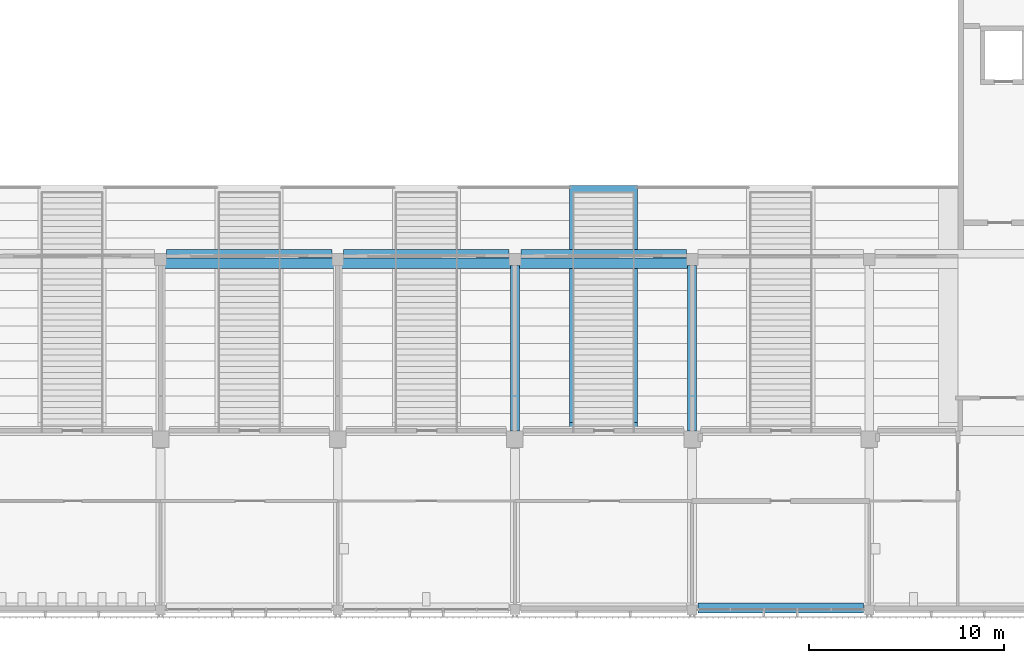
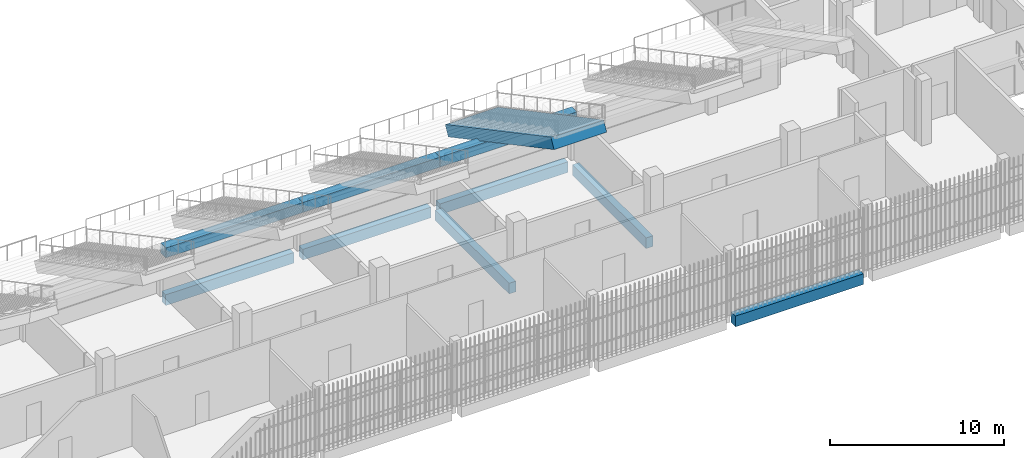
# One storey, part 27 of 139: 10 beams.
"""IFC4 building model written with IfcOpenShell, lengths in metres."""

from ifc_helpers import new_model, si_unit, direction, frame, origin, origin_2d, place, context, subcontext, project, spatial, rectangle, extrude, material, material_profile, profile_set, type_object, element, save


model = new_model("IFC4")

# Units and contexts
model_context = context("Model", 3, precision=1e-05, world=origin(), true_north=direction((0.0, 1.0)))
body_context = subcontext(model_context, "Body", "Model", "MODEL_VIEW")
ifc_project = project(units=[si_unit("LENGTHUNIT", "METRE"), si_unit("AREAUNIT", "SQUARE_METRE"), si_unit("VOLUMEUNIT", "CUBIC_METRE"), si_unit("PLANEANGLEUNIT", "RADIAN"), si_unit("MASSUNIT", "GRAM", prefix="KILO")], contexts=[model_context])

# Site, building, storey
site_placement = place(None, origin())
site = spatial("IfcSite", under=ifc_project, at=site_placement, CompositionType="ELEMENT")
building_placement = place(site_placement, origin())
building = spatial("IfcBuilding", under=site, at=building_placement, Name="Shirokan Park Arena", CompositionType="ELEMENT")
storey_placement = place(building_placement, frame((0.0, 0.0, 15.469970703125)))
storey = spatial("IfcBuildingStorey", under=building, at=storey_placement, Name="L03", CompositionType="ELEMENT", Elevation=15.469970703125)

# Beams
ifc_material = material(Name="Concrete C35", Category="concrete")
ifc_material_profile_1 = material_profile(ifc_material, rectangle(XDim=0.449951171875, YDim=0.75, at=origin_2d()), Name="450x750")
ifc_profile_set_1 = profile_set([ifc_material_profile_1], Name="Concrete C35")
beam_type_1 = type_object("IfcBeamType", Name="RC girder 450x750", PredefinedType="BEAM", material=ifc_profile_set_1)
beam_1_placement = place(storey_placement, frame((64.0, 18.199951171875, -0.675048828125), z_axis=(1.0, 0.0, 0.0), x_axis=(0.0, 1.0, 0.0)))
element("IfcBeam", 1, at=beam_1_placement, inside=storey, type_object=beam_type_1, Name="Girder 8C-9C L03", PredefinedType="BEAM", context=body_context, shape_type="SweptSolid", body=[
    extrude(rectangle(XDim=0.449951171875, YDim=0.75, at=origin_2d()), origin(), (0.0, 0.0, 1.0), 8.5),
])
for number, where, z_axis, x_axis, name in (
    (2, (73.10009765625, 18.199951171875, -0.675048828125), (1.0, 0.0, 0.0), (0.0, 1.0, 0.0), "Girder 9C-10C L03"),
    (3, (82.2001953125, 18.199951171875, -0.675048828125), (1.0, 0.0, 0.0), (0.0, 1.0, 0.0), "Girder 10C-11C L03"),
    (4, (81.89990234375, 9.10009765625, -0.675048828125), (0.0, 1.0, 0.0), (-1.0, 0.0, 0.0), "Girder 10B-10C L03"),
    (5, (91.0, 9.10009765625, -0.675048828125), (0.0, 1.0, 0.0), (-1.0, 0.0, 0.0), "Girder 11B-11C L03"),
):
    element("IfcBeam", number, at=place(storey_placement, frame(where, z_axis=z_axis, x_axis=x_axis)), inside=storey, type_object=beam_type_1, Name=name, PredefinedType="BEAM", context=body_context, shape_type="SweptSolid", body=[
        extrude(rectangle(XDim=0.449951171875, YDim=0.75, at=origin_2d()), origin(), (0.0, 0.0, 1.0), 8.499755859375),
    ])
ifc_material_profile_2 = material_profile(ifc_material, rectangle(XDim=0.5, YDim=0.75, at=origin_2d()), Name="500x750")
ifc_profile_set_2 = profile_set([ifc_material_profile_2], Name="Concrete C35")
beam_type_2 = type_object("IfcBeamType", Name="RC girder 500x750", PredefinedType="BEAM", material=ifc_profile_set_2)
beam_2_placement = place(storey_placement, frame((91.300048828125, 0.0, -0.675048828125), z_axis=(1.0, 0.0, 0.0), x_axis=(0.0, 1.0, 0.0)))
element("IfcBeam", 6, at=beam_2_placement, inside=storey, type_object=beam_type_2, Name="Girder 11A-12A L03", PredefinedType="BEAM", context=body_context, shape_type="SweptSolid", body=[
    extrude(rectangle(XDim=0.5, YDim=0.75, at=origin_2d()), origin(), (0.0, 0.0, 1.0), 8.499755859375),
])
ifc_material_profile_3 = material_profile(ifc_material, rectangle(XDim=3.5, YDim=0.75, at=origin_2d()), Name="3500x750")
ifc_profile_set_3 = profile_set([ifc_material_profile_3], Name="Concrete C35")
beam_type_3 = type_object("IfcBeamType", Name="RC raker 3500x750", PredefinedType="USERDEFINED", material=ifc_profile_set_3)
beam_3_placement = place(storey_placement, frame((86.449951171875, 21.5234375, 1.822509765625), z_axis=(0.0, -0.882353431028, 0.470587316821), x_axis=(1.0, 0.0, 0.0)))
element("IfcBeam", 7, at=beam_3_placement, inside=storey, type_object=beam_type_3, Name="Raker upper S 5", ObjectType="RAKER BEAM", PredefinedType="USERDEFINED", context=body_context, shape_type="SweptSolid", body=[
    extrude(rectangle(XDim=3.5, YDim=0.75, at=origin_2d()), origin(), (0.0, 0.0, 1.0), 13.79638671875),
])
ifc_material_profile_4 = material_profile(ifc_material, rectangle(XDim=0.60009765625, YDim=0.699951171875, at=origin_2d()), Name="600x700")
ifc_profile_set_4 = profile_set([ifc_material_profile_4], Name="Concrete C35")
beam_type_4 = type_object("IfcBeamType", Name="RC stand girder 600x700", PredefinedType="BEAM", material=ifc_profile_set_4)
beam_4_placement = place(storey_placement, frame((63.699951171875, 17.75, 3.06005859375), z_axis=(1.0, 0.0, 0.0), x_axis=(0.0, 1.0, 0.0)))
element("IfcBeam", 8, at=beam_4_placement, inside=storey, type_object=beam_type_4, Name="Stand girder S R3 4", PredefinedType="BEAM", context=body_context, shape_type="SweptSolid", body=[
    extrude(rectangle(XDim=0.60009765625, YDim=0.699951171875, at=origin_2d()), origin(), (0.0, 0.0, 1.0), 9.10009765625),
])
beam_5_placement = place(storey_placement, frame((72.800048828125, 17.75, 3.06005859375), z_axis=(1.0, 0.0, 0.0), x_axis=(0.0, 1.0, 0.0)))
element("IfcBeam", 9, at=beam_5_placement, inside=storey, type_object=beam_type_4, Name="Stand girder S R3 5", PredefinedType="BEAM", context=body_context, shape_type="SweptSolid", body=[
    extrude(rectangle(XDim=0.60009765625, YDim=0.699951171875, at=origin_2d()), origin(), (0.0, 0.0, 1.0), 9.099853515625),
])
beam_6_placement = place(storey_placement, frame((81.89990234375, 17.75, 3.06005859375), z_axis=(1.0, 0.0, 0.0), x_axis=(0.0, 1.0, 0.0)))
element("IfcBeam", 10, at=beam_6_placement, inside=storey, type_object=beam_type_4, Name="Stand girder S R3 6", PredefinedType="BEAM", context=body_context, shape_type="SweptSolid", body=[
    extrude(rectangle(XDim=0.60009765625, YDim=0.699951171875, at=origin_2d()), origin(), (0.0, 0.0, 1.0), 9.10009765625),
])

save(model, "model.ifc")
